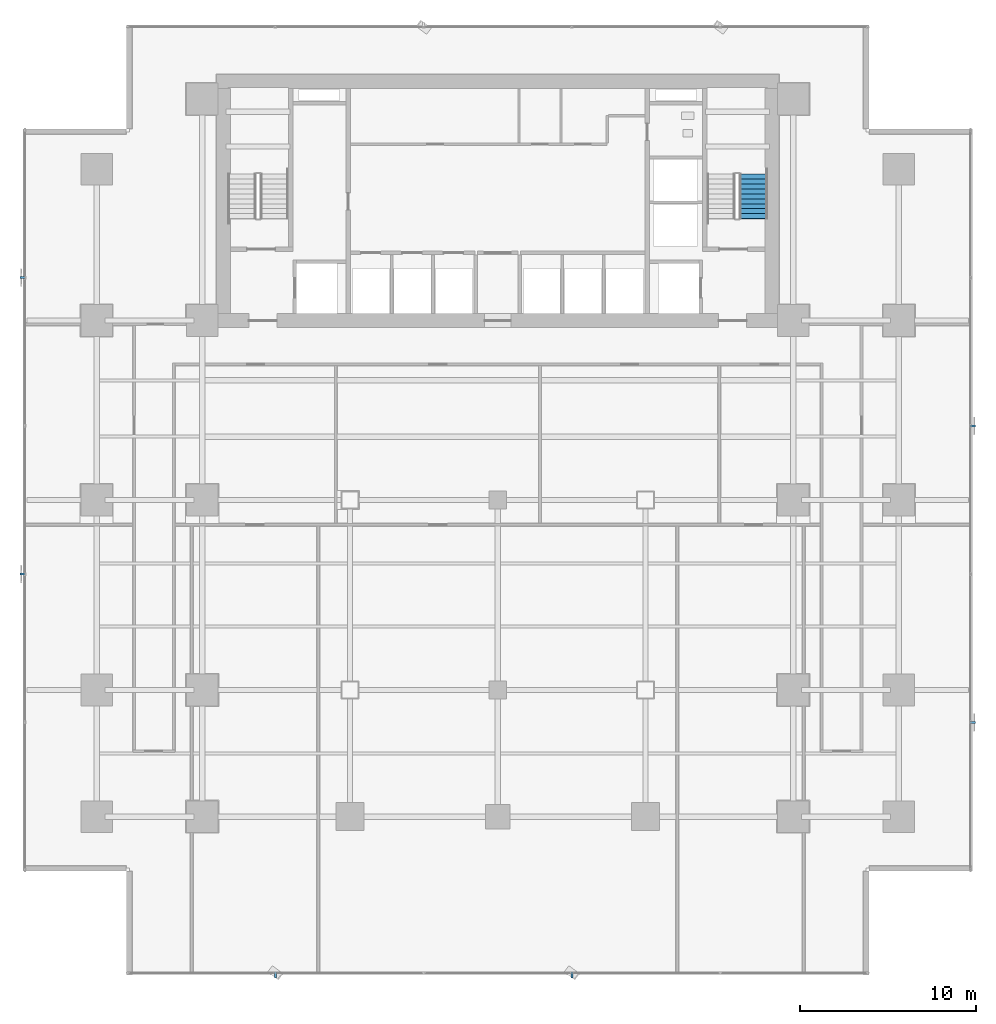
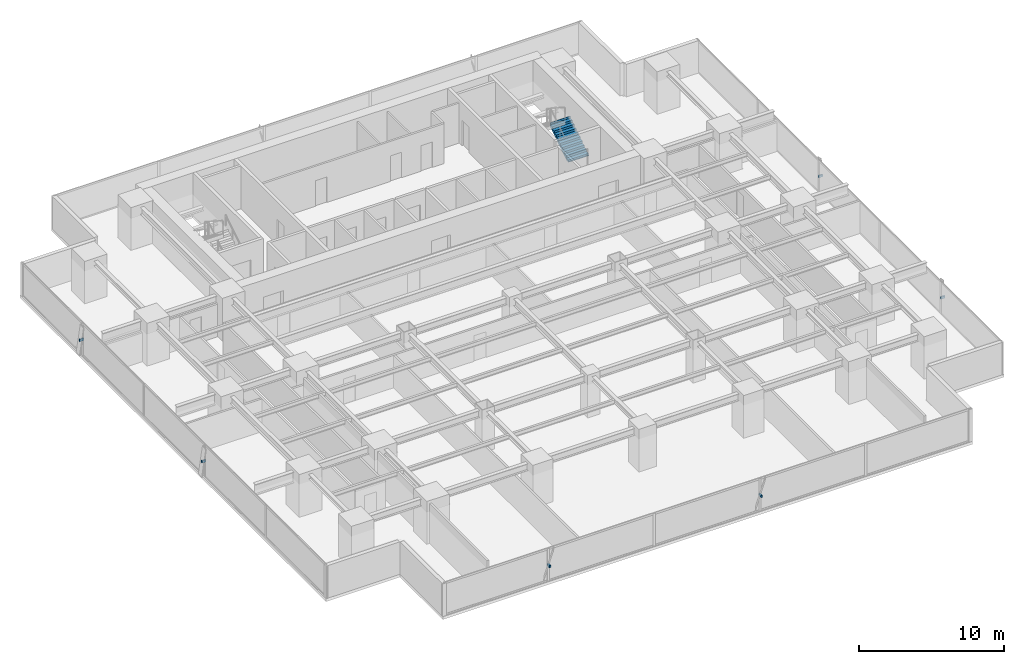
# One storey, part 26 of 32: 6 discrete accessories, 1 stair flight, 1 element without a shape of its own.
"""IFC4 building model written with IfcOpenShell, lengths in metres."""

from ifc_helpers import new_model, si_unit, direction, frame, origin, origin_2d, place, context, subcontext, project, spatial, polyline, rectangle, outline, extrude, source, transform, mapped, material, material_profile, profile_set, type_object, element, aggregate, save


model = new_model("IFC4")

# Units and contexts
model_context = context("Model", 3, precision=1e-05, world=origin(), true_north=direction((0.0, 1.0)))
body_context = subcontext(model_context, "Body", "Model", "MODEL_VIEW")
ifc_project = project(units=[si_unit("LENGTHUNIT", "METRE"), si_unit("AREAUNIT", "SQUARE_METRE"), si_unit("VOLUMEUNIT", "CUBIC_METRE"), si_unit("PLANEANGLEUNIT", "RADIAN"), si_unit("MASSUNIT", "GRAM", prefix="KILO")], contexts=[model_context])

# Site, building, storey
site_placement = place(None, origin())
site = spatial("IfcSite", under=ifc_project, at=site_placement, CompositionType="ELEMENT")
building_placement = place(site_placement, origin())
building = spatial("IfcBuilding", under=site, at=building_placement, Name="Sumidabori Civic Tower", CompositionType="ELEMENT")
storey_placement = place(building_placement, frame((0.0, 0.0, 52.39990234375)))
storey = spatial("IfcBuildingStorey", under=building, at=storey_placement, Name="L13", CompositionType="ELEMENT", Elevation=52.39990234375)

# Stair, stair flight
ifc_material_1 = material(Name="Concrete C40/50", Category="concrete")
stair_type = type_object("IfcStairType", Name="ST-CORE-1600", PredefinedType="HALF_TURN_STAIR", material=ifc_material_1)
stair_placement = place(storey_placement, origin())
stair = element("IfcStair", 1, at=stair_placement, inside=storey, type_object=stair_type, Name="L13 ST-2", PredefinedType="HALF_TURN_STAIR")
stair_flight_type = type_object("IfcStairFlightType", Name="SF-CORE-1600", PredefinedType="STRAIGHT", material=ifc_material_1)
shared_shape_1 = source(origin(), body_context, "Body", "SweptSolid", [
    extrude(outline(polyline([(-0.02490234375, 0.0), (-0.02490234375, 0.0400390625), (0.0, 0.0400390625), (0.0, 0.179931640625), (0.280029296875, 0.179931640625), (0.280029296875, 0.360107421875), (0.56005859375, 0.360107421875), (0.56005859375, 0.5400390625), (0.840087890625, 0.5400390625), (0.840087890625, 0.719970703125), (1.1201171875, 0.719970703125), (1.1201171875, 0.89990234375), (1.39990234375, 0.89990234375), (1.39990234375, 1.080078125), (1.679931640625, 1.080078125), (1.679931640625, 1.260009765625), (1.9599609375, 1.260009765625), (1.9599609375, 1.43994140625), (2.239990234375, 1.43994140625), (2.239990234375, 1.6201171875), (2.52001953125, 1.6201171875), (2.52001953125, 1.800048828125), (2.544921875, 1.800048828125), (2.544921875, 1.650146484375), (2.52001953125, 1.44189453125), (0.277099609375, 0.0), (-0.02490234375, 0.0)])), frame((0.0, 0.800048828125, 0.0), z_axis=(0.0, -1.0, 0.0), x_axis=(1.0, 0.0, 0.0)), (0.0, 0.0, 1.0), 1.60009765625),
])
stair_flight_placement = place(storey_placement, frame((14.5400390625, 16.0, 0.0), z_axis=(0.0, 0.0, 1.0), x_axis=(0.0, 1.0, 0.0)))
stair_flight = element("IfcStairFlight", 2, at=stair_flight_placement, type_object=stair_flight_type, Name="ST-2 flight 1", NumberOfRisers=10, NumberOfTreads=9, PredefinedType="STRAIGHT", RiserHeight=0.18, TreadLength=0.28, context=body_context, shape_type="MappedRepresentation", body=[
    mapped(shared_shape_1, transform((0.0, 0.0, 0.0), x_axis=(1.0, 0.0, 0.0), y_axis=(0.0, 1.0, 0.0), z_axis=(0.0, 0.0, 1.0), scale=1.0)),
])
aggregate(stair, [stair_flight])

# Discrete accessories
ifc_material_2 = material(Name="Stainless Steel Hairline Finish", Category="steel")
ifc_material_profile = material_profile(ifc_material_2, rectangle(XDim=0.1201171875, YDim=0.179931640625, at=origin_2d()), Name="STEEL BRACKET 180x120")
ifc_profile_set = profile_set([ifc_material_profile], Name="Stainless Steel Hairline Finish")
discrete_accessory_type = type_object("IfcDiscreteAccessoryType", Name="AC-BRK-180", PredefinedType="BRACKET", material=ifc_profile_set)
shared_shape_2 = source(origin(), body_context, "Body", "SweptSolid", [
    extrude(rectangle(XDim=0.1201171875, YDim=0.179931640625, at=origin_2d()), origin(), (0.0, 0.0, 1.0), 0.329833984375),
])
for number, where, z_axis, x_axis, name in (
    (3, (-12.64208984375, -26.830078125, 1.360107421875), (0.0, -1.0, 0.0), (1.0, 0.0, 0.0), "Bronze Fin Fixing Bracket L13-01"),
    (4, (4.214111328125, -26.830078125, 1.360107421875), (0.0, -1.0, 0.0), (1.0, 0.0, 0.0), "Bronze Fin Fixing Bracket L13-03"),
    (5, (26.830078125, -12.64208984375, 1.360107421875), (1.0, 0.0, 0.0), (0.0, 1.0, 0.0), "Bronze Fin Fixing Bracket L13-01"),
    (6, (26.830078125, 4.214111328125, 1.360107421875), (1.0, 0.0, 0.0), (0.0, 1.0, 0.0), "Bronze Fin Fixing Bracket L13-03"),
    (7, (-26.830078125, 12.64208984375, 1.360107421875), (-1.0, 0.0, 0.0), (0.0, -1.0, 0.0), "Bronze Fin Fixing Bracket L13-01"),
    (8, (-26.830078125, -4.214111328125, 1.360107421875), (-1.0, 0.0, 0.0), (0.0, -1.0, 0.0), "Bronze Fin Fixing Bracket L13-03"),
):
    element("IfcDiscreteAccessory", number, at=place(storey_placement, frame(where, z_axis=z_axis, x_axis=x_axis)), inside=storey, type_object=discrete_accessory_type, Name=name, PredefinedType="BRACKET", context=body_context, shape_type="MappedRepresentation", body=[
        mapped(shared_shape_2, transform((0.0, 0.0, 0.0), x_axis=(1.0, 0.0, 0.0), y_axis=(0.0, 1.0, 0.0), z_axis=(0.0, 0.0, 1.0), scale=1.0)),
    ])

save(model, "model.ifc")
